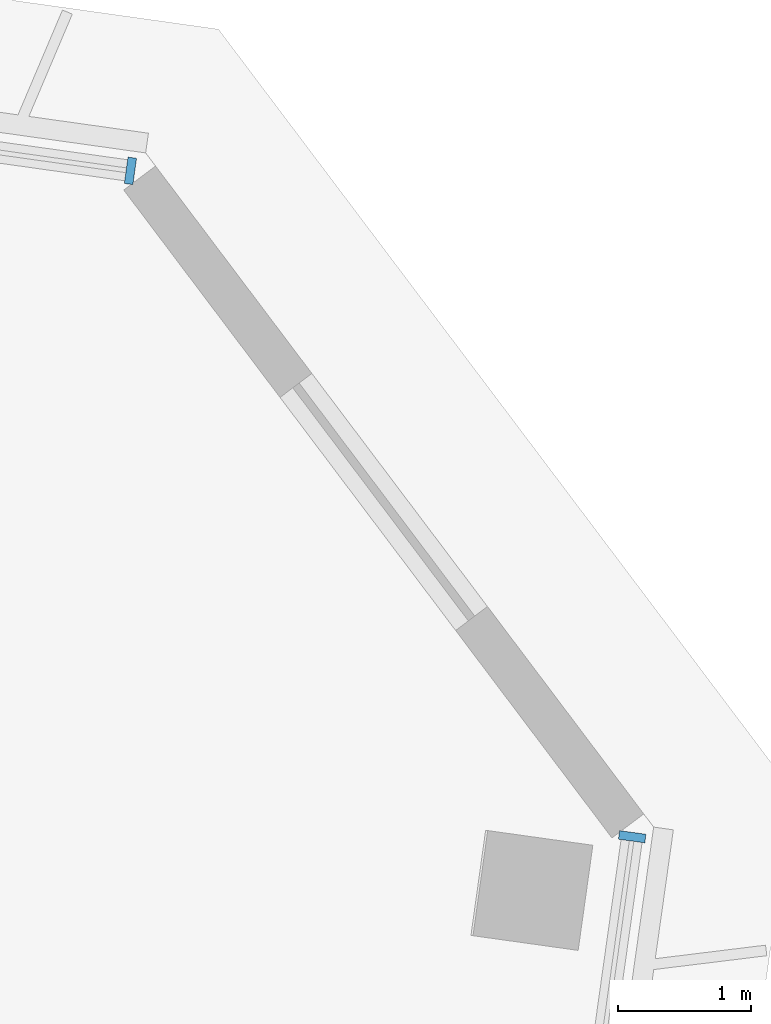
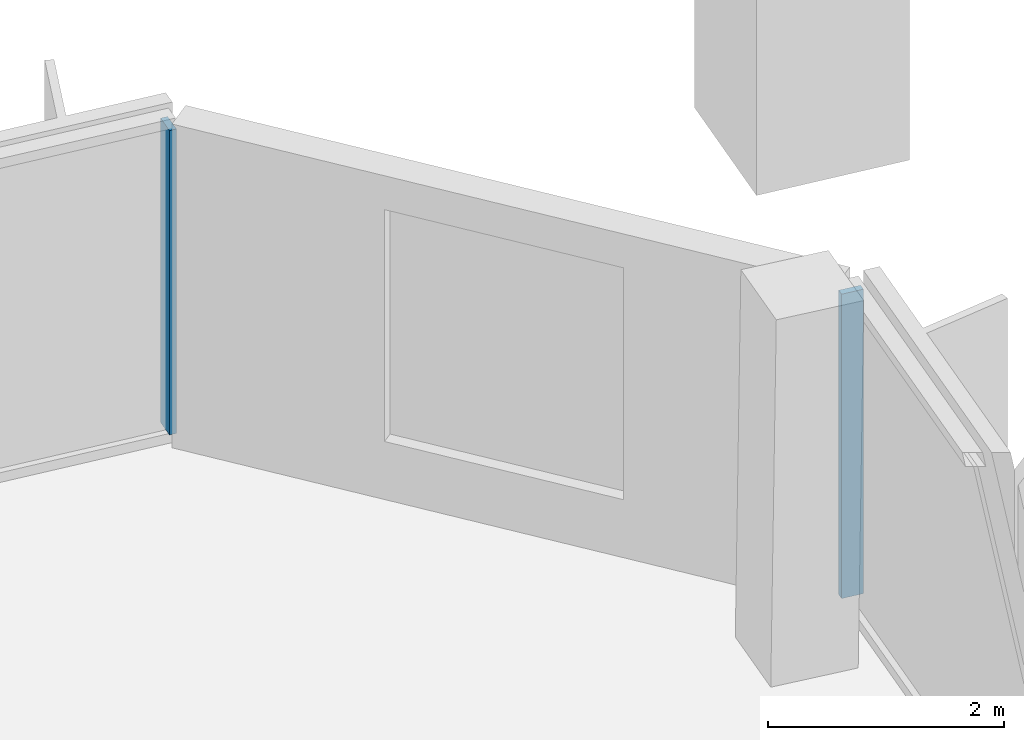
# One storey, part 9 of 31: 2 members, 2 elements without a shape of their own.
"""IFC4 building model written with IfcOpenShell, lengths in metres."""

from ifc_helpers import new_model, si_unit, direction, frame, origin, origin_2d, place, context, subcontext, project, spatial, rectangle, extrude, material, material_profile, profile_set, type_object, element, aggregate, save


model = new_model("IFC4")

# Units and contexts
model_context = context("Model", 3, precision=1e-05, world=origin(), true_north=direction((0.0, 1.0)))
body_context = subcontext(model_context, "Body", "Model", "MODEL_VIEW")
ifc_project = project(units=[si_unit("LENGTHUNIT", "METRE"), si_unit("AREAUNIT", "SQUARE_METRE"), si_unit("VOLUMEUNIT", "CUBIC_METRE"), si_unit("PLANEANGLEUNIT", "RADIAN"), si_unit("MASSUNIT", "GRAM", prefix="KILO")], contexts=[model_context])

# Site, building, storey
site_placement = place(None, origin())
site = spatial("IfcSite", under=ifc_project, at=site_placement, CompositionType="ELEMENT")
building_placement = place(site_placement, origin())
building = spatial("IfcBuilding", under=site, at=building_placement, Name="Mirante Cascada Hotel Towers", CompositionType="ELEMENT")
storey_placement = place(building_placement, frame((0.0, 0.0, 157.4)))
storey = spatial("IfcBuildingStorey", under=building, at=storey_placement, Name="L36", CompositionType="ELEMENT", Elevation=157.4)

# Curtain wall, member
ifc_material_1 = material(Name="Aluminium mullion and transom frame with clear laminated glass", Category="aluminium")
curtain_wall_type_1 = type_object("IfcCurtainWallType", Name="Ribbon curtain wall ECW1", PredefinedType="NOTDEFINED", material=ifc_material_1)
curtain_wall_1_placement = place(storey_placement, origin())
curtain_wall_1 = element("IfcCurtainWall", 1, at=curtain_wall_1_placement, inside=storey, type_object=curtain_wall_type_1, Name="Front ribbon wall T1 L36", PredefinedType="NOTDEFINED")
ifc_material_2 = material(Name="Anodised aluminium extrusion", Category="aluminium")
ifc_material_profile_1 = material_profile(ifc_material_2, rectangle(XDim=0.2, YDim=0.065, at=origin_2d()), Name="ECW1 MULLION 65x200")
ifc_profile_set_1 = profile_set([ifc_material_profile_1], Name="Anodised aluminium extrusion")
member_type_1 = type_object("IfcMemberType", Name="ECW1 mullion 65x200", PredefinedType="MULLION", material=ifc_profile_set_1)
member_1_placement = place(storey_placement, frame((-31.8911, 17.301, 0.1), z_axis=(0.0, 0.0, 1.0), x_axis=(0.1391731, 0.9902681, 0.0)))
member_1 = element("IfcMember", 2, at=member_1_placement, type_object=member_type_1, Name="ECW1 mullion 13", PredefinedType="MULLION", context=body_context, shape_type="SweptSolid", body=[
    extrude(rectangle(XDim=0.2, YDim=0.065, at=origin_2d()), origin(), (0.0, 0.0, 1.0), 3.15),
])
aggregate(curtain_wall_1, [member_1])

ifc_material_3 = material(Name="Aluminium mullion and transom frame with clear laminated glass", Category="aluminium")
curtain_wall_type_2 = type_object("IfcCurtainWallType", Name="End ribbon curtain wall ECW2", PredefinedType="NOTDEFINED", material=ifc_material_3)
curtain_wall_2_placement = place(storey_placement, origin())
curtain_wall_2 = element("IfcCurtainWall", 3, at=curtain_wall_2_placement, inside=storey, type_object=curtain_wall_type_2, Name="Inner end wall T1 L36", PredefinedType="NOTDEFINED")
ifc_material_4 = material(Name="Anodised aluminium extrusion", Category="aluminium")
ifc_material_profile_2 = material_profile(ifc_material_4, rectangle(XDim=0.2, YDim=0.065, at=origin_2d()), Name="ECW2 MULLION 65x200")
ifc_profile_set_2 = profile_set([ifc_material_profile_2], Name="Anodised aluminium extrusion")
member_type_2 = type_object("IfcMemberType", Name="ECW2 mullion 65x200", PredefinedType="MULLION", material=ifc_profile_set_2)
member_2_placement = place(storey_placement, frame((-28.1083, 12.2811, 0.1), z_axis=(0.0, 0.0, 1.0), x_axis=(0.9902681, -0.1391731, 0.0)))
member_2 = element("IfcMember", 4, at=member_2_placement, type_object=member_type_2, Name="ECW2 mullion 1", PredefinedType="MULLION", context=body_context, shape_type="SweptSolid", body=[
    extrude(rectangle(XDim=0.2, YDim=0.065, at=origin_2d()), origin(), (0.0, 0.0, 1.0), 3.15),
])
aggregate(curtain_wall_2, [member_2])

save(model, "model.ifc")
